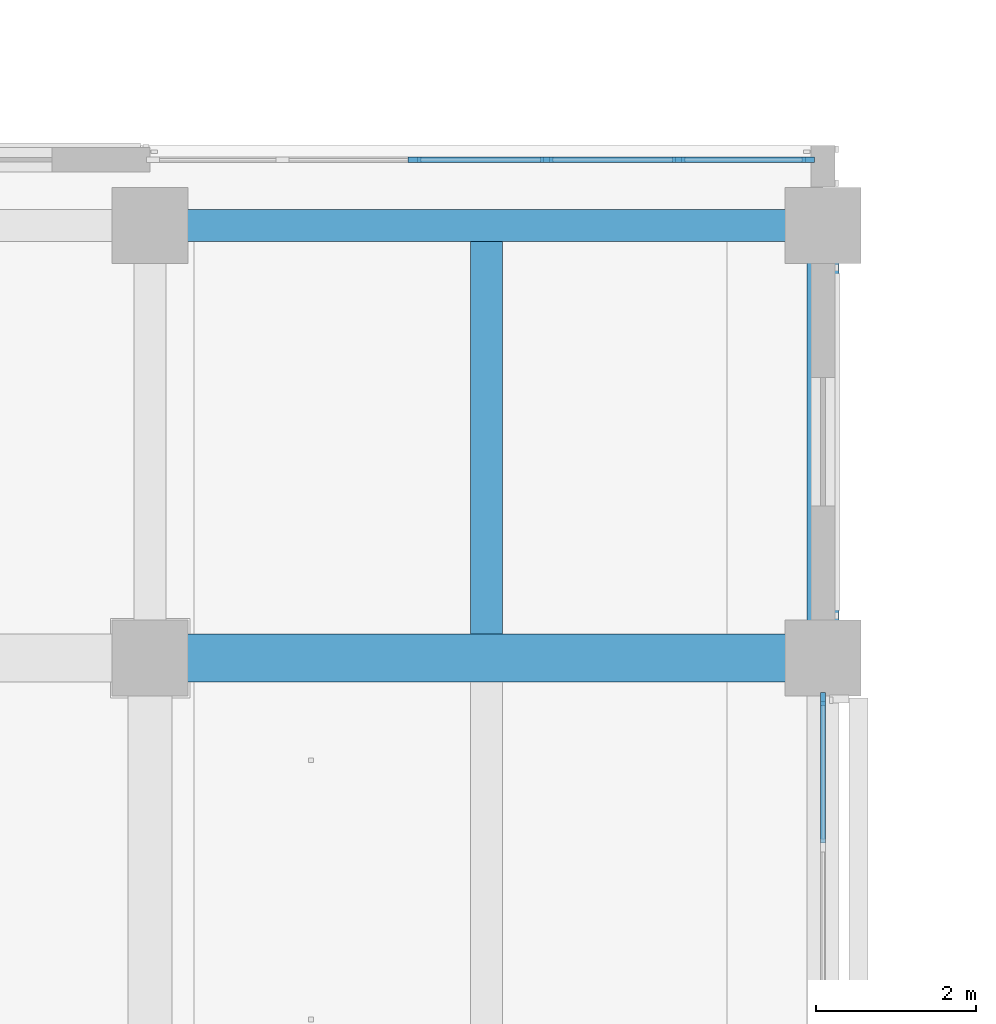
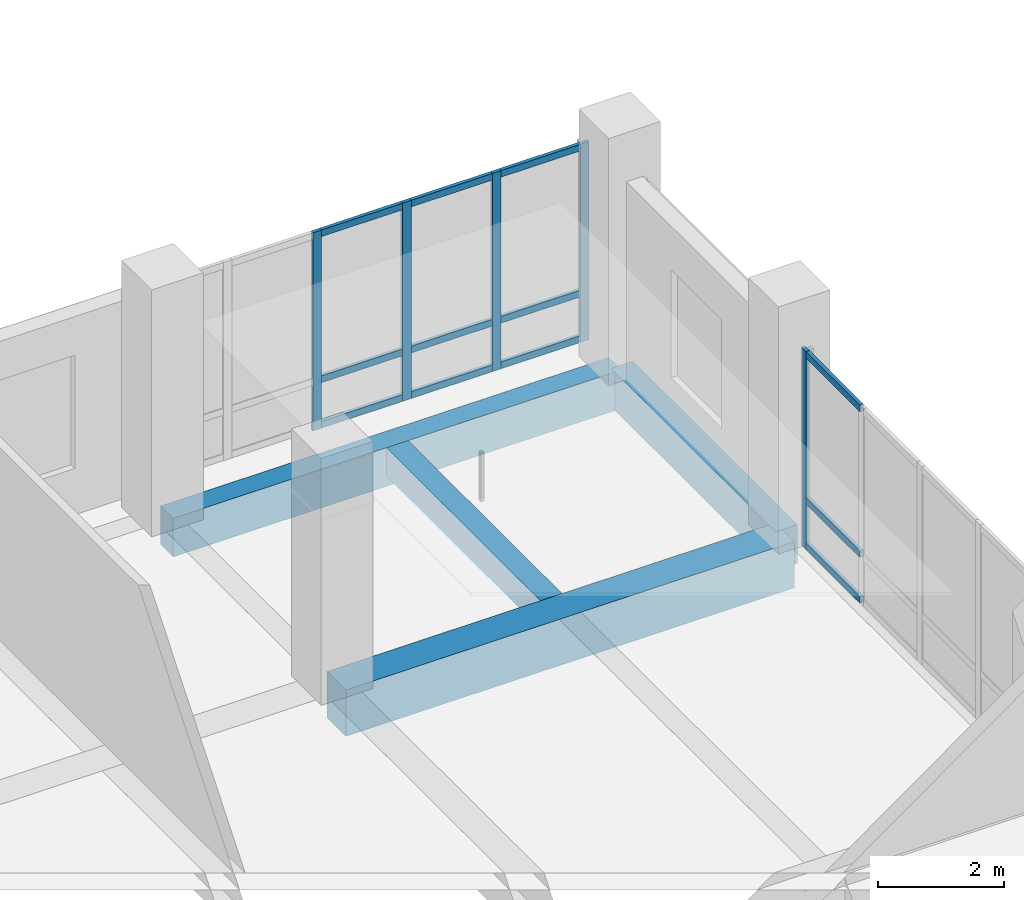
# One storey, part 22 of 122: 17 members, 4 beams, 2 elements without a shape of their own.
"""IFC4 building model written with IfcOpenShell, lengths in metres."""

from ifc_helpers import new_model, si_unit, direction, frame, origin, origin_2d, place, context, subcontext, project, spatial, rectangle, extrude, material, layer, layer_set, material_profile, profile_set, type_object, element, aggregate, save


model = new_model("IFC4")

# Units and contexts
model_context = context("Model", 3, precision=1e-05, world=origin(), true_north=direction((0.0, 1.0)))
body_context = subcontext(model_context, "Body", "Model", "MODEL_VIEW")
ifc_project = project(units=[si_unit("LENGTHUNIT", "METRE"), si_unit("AREAUNIT", "SQUARE_METRE"), si_unit("VOLUMEUNIT", "CUBIC_METRE"), si_unit("PLANEANGLEUNIT", "RADIAN"), si_unit("MASSUNIT", "GRAM", prefix="KILO")], contexts=[model_context])

# Site, building, storey
site_placement = place(None, origin())
site = spatial("IfcSite", under=ifc_project, at=site_placement, CompositionType="ELEMENT")
building_placement = place(site_placement, origin())
building = spatial("IfcBuilding", under=site, at=building_placement, Name="Telukmera Botanical Conservatory", CompositionType="ELEMENT")
storey_placement = place(building_placement, frame((0.0, 0.0, 10.199951171875)))
storey = spatial("IfcBuildingStorey", under=building, at=storey_placement, Name="L02", CompositionType="ELEMENT", Elevation=10.199951171875)

# Beams
ifc_material_1 = material(Name="Concrete C40/50", Category="concrete")
ifc_material_profile_1 = material_profile(ifc_material_1, rectangle(XDim=0.39990234375, YDim=0.550048828125, at=origin_2d()), Name="RC 400x550")
ifc_profile_set_1 = profile_set([ifc_material_profile_1], Name="Concrete C40/50")
beam_type_1 = type_object("IfcBeamType", Name="Beam_B19", PredefinedType="JOIST", material=ifc_profile_set_1)
beam_1_placement = place(storey_placement, frame((105.0, 43.10009765625, -0.27490234375), z_axis=(0.0, 1.0, 0.0), x_axis=(-1.0, 0.0, 0.0)))
element("IfcBeam", 1, at=beam_1_placement, inside=storey, type_object=beam_type_1, Name="Tower Secondary Floor Joist L02", PredefinedType="JOIST", context=body_context, shape_type="SweptSolid", body=[
    extrude(rectangle(XDim=0.39990234375, YDim=0.550048828125, at=origin_2d()), origin(), (0.0, 0.0, 1.0), 4.89990234375),
])
ifc_material_profile_2 = material_profile(ifc_material_1, rectangle(XDim=0.60009765625, YDim=0.89990234375, at=origin_2d()), Name="RC 600x900")
ifc_profile_set_2 = profile_set([ifc_material_profile_2], Name="Concrete C40/50")
beam_type_2 = type_object("IfcBeamType", Name="Beam_B3", PredefinedType="BEAM", material=ifc_profile_set_2)
beam_2_placement = place(storey_placement, frame((100.8798828125, 42.800048828125, -0.449951171875), z_axis=(1.0, 0.0, 0.0), x_axis=(0.0, 1.0, 0.0)))
element("IfcBeam", 2, at=beam_2_placement, inside=storey, type_object=beam_type_2, Name="Tower Grid Beam L02", PredefinedType="BEAM", context=body_context, shape_type="SweptSolid", body=[
    extrude(rectangle(XDim=0.60009765625, YDim=0.89990234375, at=origin_2d()), origin(), (0.0, 0.0, 1.0), 8.240234375),
])
ifc_material_2 = material(Name="Precast concrete C40/50", Category="concrete")
ifc_material_profile_3 = material_profile(ifc_material_2, rectangle(XDim=0.39990234375, YDim=0.75, at=origin_2d()), Name="PC 400x750")
ifc_profile_set_3 = profile_set([ifc_material_profile_3], Name="Precast concrete C40/50")
beam_type_3 = type_object("IfcBeamType", Name="Beam_SP1", PredefinedType="SPANDREL", material=ifc_profile_set_3)
beam_3_placement = place(storey_placement, frame((100.8798828125, 48.199951171875, -0.375), z_axis=(1.0, 0.0, 0.0), x_axis=(0.0, 1.0, 0.0)))
element("IfcBeam", 3, at=beam_3_placement, inside=storey, type_object=beam_type_3, Name="Tower Grid Beam L02", PredefinedType="SPANDREL", context=body_context, shape_type="SweptSolid", body=[
    extrude(rectangle(XDim=0.39990234375, YDim=0.75, at=origin_2d()), origin(), (0.0, 0.0, 1.0), 8.240234375),
])
beam_4_placement = place(storey_placement, frame((109.199951171875, 42.8798828125, -0.375), z_axis=(0.0, 1.0, 0.0), x_axis=(-1.0, 0.0, 0.0)))
element("IfcBeam", 4, at=beam_4_placement, inside=storey, type_object=beam_type_3, Name="Tower Transverse Beam L02", PredefinedType="SPANDREL", context=body_context, shape_type="SweptSolid", body=[
    extrude(rectangle(XDim=0.39990234375, YDim=0.75, at=origin_2d()), origin(), (0.0, 0.0, 1.0), 5.240234375),
])

# Curtain wall, members
ifc_material_3 = material(Name="Anodised aluminium 6063-T6", Category="aluminium")
ifc_layer = layer(ifc_material_3, 0.179931640625)
ifc_layer_set = layer_set([ifc_layer], Name="Anodised aluminium 6063-T6")
curtain_wall_type = type_object("IfcCurtainWallType", Name="Tower Reference Library Curtain Wall", PredefinedType="USERDEFINED", material=ifc_layer_set)
curtain_wall_1_placement = place(storey_placement, origin())
curtain_wall_1 = element("IfcCurtainWall", 5, at=curtain_wall_1_placement, inside=storey, type_object=curtain_wall_type, Name="Unitised Curtain Wall CW13 V4:L02:N7", ObjectType="UNITISED CURTAIN WALL", PredefinedType="USERDEFINED")
ifc_material_profile_4 = material_profile(ifc_material_3, rectangle(XDim=0.06494140625, YDim=0.159912109375, at=origin_2d()), Name="ALU MULL 65x160")
ifc_profile_set_4 = profile_set([ifc_material_profile_4], Name="Anodised aluminium 6063-T6")
member_type_1 = type_object("IfcMemberType", Name="Curtain Wall Extruded Mullion 65x160", PredefinedType="MULLION", material=ifc_profile_set_4)
member_1_placement = place(storey_placement, frame((104.100341796875, 49.02001953125, 0.0), z_axis=(0.0, 0.0, 1.0), x_axis=(0.0, 1.0, 0.0)))
member_1 = element("IfcMember", 6, at=member_1_placement, type_object=member_type_1, Name="CW13 mullion 3", PredefinedType="MULLION", context=body_context, shape_type="SweptSolid", body=[
    extrude(rectangle(XDim=0.06494140625, YDim=0.159912109375, at=origin_2d()), origin(), (0.0, 0.0, 1.0), 3.85009765625),
])
member_2_placement = place(storey_placement, frame((105.74951171875, 49.02001953125, 0.0), z_axis=(0.0, 0.0, 1.0), x_axis=(0.0, 1.0, 0.0)))
member_2 = element("IfcMember", 7, at=member_2_placement, type_object=member_type_1, Name="CW13 mullion 4", PredefinedType="MULLION", context=body_context, shape_type="SweptSolid", body=[
    extrude(rectangle(XDim=0.06494140625, YDim=0.159912109375, at=origin_2d()), origin(), (0.0, 0.0, 1.0), 3.85009765625),
])
member_3_placement = place(storey_placement, frame((107.398681640625, 49.02001953125, 0.0), z_axis=(0.0, 0.0, 1.0), x_axis=(0.0, 1.0, 0.0)))
member_3 = element("IfcMember", 8, at=member_3_placement, type_object=member_type_1, Name="CW13 mullion 5", PredefinedType="MULLION", context=body_context, shape_type="SweptSolid", body=[
    extrude(rectangle(XDim=0.06494140625, YDim=0.159912109375, at=origin_2d()), origin(), (0.0, 0.0, 1.0), 3.85009765625),
])
member_4_placement = place(storey_placement, frame((109.015380859375, 49.02001953125, 0.0), z_axis=(0.0, 0.0, 1.0), x_axis=(0.0, 1.0, 0.0)))
member_4 = element("IfcMember", 9, at=member_4_placement, type_object=member_type_1, Name="CW13 mullion 6", PredefinedType="MULLION", context=body_context, shape_type="SweptSolid", body=[
    extrude(rectangle(XDim=0.06494140625, YDim=0.159912109375, at=origin_2d()), origin(), (0.0, 0.0, 1.0), 3.85009765625),
])

# Curtain wall, member
curtain_wall_2_placement = place(storey_placement, origin())
curtain_wall_2 = element("IfcCurtainWall", 10, at=curtain_wall_2_placement, inside=storey, type_object=curtain_wall_type, Name="Unitised Curtain Wall CW13 V4:L02:E4", ObjectType="UNITISED CURTAIN WALL", PredefinedType="USERDEFINED")
member_5_placement = place(storey_placement, frame((109.199951171875, 42.29052734375, 0.0), z_axis=(0.0, 0.0, 1.0), x_axis=(-1.0, 0.0, 0.0)))
member_5 = element("IfcMember", 11, at=member_5_placement, type_object=member_type_1, Name="CW13 mullion 5", PredefinedType="MULLION", context=body_context, shape_type="SweptSolid", body=[
    extrude(rectangle(XDim=0.06494140625, YDim=0.159912109375, at=origin_2d()), origin(), (0.0, 0.0, 1.0), 3.85009765625),
])

# Member
ifc_material_profile_5 = material_profile(ifc_material_3, rectangle(XDim=0.06494140625, YDim=0.1298828125, at=origin_2d()), Name="ALU TRAN 65x130")
ifc_profile_set_5 = profile_set([ifc_material_profile_5], Name="Anodised aluminium 6063-T6")
member_type_2 = type_object("IfcMemberType", Name="Curtain Wall Extruded Transom 65x130", PredefinedType="USERDEFINED", material=ifc_profile_set_5)
member_6_placement = place(storey_placement, frame((104.1328125, 49.02001953125, 0.06494140625), z_axis=(1.0, 0.0, 0.0), x_axis=(0.0, 1.0, 0.0)))
member_6 = element("IfcMember", 12, at=member_6_placement, type_object=member_type_2, Name="CW13 transom 3.1", ObjectType="TRANSOM", PredefinedType="USERDEFINED", context=body_context, shape_type="SweptSolid", body=[
    extrude(rectangle(XDim=0.06494140625, YDim=0.1298828125, at=origin_2d()), origin(), (0.0, 0.0, 1.0), 1.584228515625),
])

member_7_placement = place(storey_placement, frame((104.1328125, 49.02001953125, 0.949951171875), z_axis=(1.0, 0.0, 0.0), x_axis=(0.0, 1.0, 0.0)))
member_7 = element("IfcMember", 13, at=member_7_placement, type_object=member_type_2, Name="CW13 transom 3.2", ObjectType="TRANSOM", PredefinedType="USERDEFINED", context=body_context, shape_type="SweptSolid", body=[
    extrude(rectangle(XDim=0.06494140625, YDim=0.1298828125, at=origin_2d()), origin(), (0.0, 0.0, 1.0), 1.584228515625),
])

member_8_placement = place(storey_placement, frame((104.1328125, 49.02001953125, 3.78515625), z_axis=(1.0, 0.0, 0.0), x_axis=(0.0, 1.0, 0.0)))
member_8 = element("IfcMember", 14, at=member_8_placement, type_object=member_type_2, Name="CW13 transom 3.3", ObjectType="TRANSOM", PredefinedType="USERDEFINED", context=body_context, shape_type="SweptSolid", body=[
    extrude(rectangle(XDim=0.06494140625, YDim=0.1298828125, at=origin_2d()), origin(), (0.0, 0.0, 1.0), 1.584228515625),
])

member_9_placement = place(storey_placement, frame((105.781982421875, 49.02001953125, 0.06494140625), z_axis=(1.0, 0.0, 0.0), x_axis=(0.0, 1.0, 0.0)))
member_9 = element("IfcMember", 15, at=member_9_placement, type_object=member_type_2, Name="CW13 transom 4.1", ObjectType="TRANSOM", PredefinedType="USERDEFINED", context=body_context, shape_type="SweptSolid", body=[
    extrude(rectangle(XDim=0.06494140625, YDim=0.1298828125, at=origin_2d()), origin(), (0.0, 0.0, 1.0), 1.584228515625),
])

member_10_placement = place(storey_placement, frame((105.781982421875, 49.02001953125, 0.949951171875), z_axis=(1.0, 0.0, 0.0), x_axis=(0.0, 1.0, 0.0)))
member_10 = element("IfcMember", 16, at=member_10_placement, type_object=member_type_2, Name="CW13 transom 4.2", ObjectType="TRANSOM", PredefinedType="USERDEFINED", context=body_context, shape_type="SweptSolid", body=[
    extrude(rectangle(XDim=0.06494140625, YDim=0.1298828125, at=origin_2d()), origin(), (0.0, 0.0, 1.0), 1.584228515625),
])

member_11_placement = place(storey_placement, frame((105.781982421875, 49.02001953125, 3.78515625), z_axis=(1.0, 0.0, 0.0), x_axis=(0.0, 1.0, 0.0)))
member_11 = element("IfcMember", 17, at=member_11_placement, type_object=member_type_2, Name="CW13 transom 4.3", ObjectType="TRANSOM", PredefinedType="USERDEFINED", context=body_context, shape_type="SweptSolid", body=[
    extrude(rectangle(XDim=0.06494140625, YDim=0.1298828125, at=origin_2d()), origin(), (0.0, 0.0, 1.0), 1.584228515625),
])

member_12_placement = place(storey_placement, frame((107.431396484375, 49.02001953125, 0.06494140625), z_axis=(1.0, 0.0, 0.0), x_axis=(0.0, 1.0, 0.0)))
member_12 = element("IfcMember", 18, at=member_12_placement, type_object=member_type_2, Name="CW13 transom 5.1", ObjectType="TRANSOM", PredefinedType="USERDEFINED", context=body_context, shape_type="SweptSolid", body=[
    extrude(rectangle(XDim=0.06494140625, YDim=0.1298828125, at=origin_2d()), origin(), (0.0, 0.0, 1.0), 1.551513671875),
])

member_13_placement = place(storey_placement, frame((107.431396484375, 49.02001953125, 0.949951171875), z_axis=(1.0, 0.0, 0.0), x_axis=(0.0, 1.0, 0.0)))
member_13 = element("IfcMember", 19, at=member_13_placement, type_object=member_type_2, Name="CW13 transom 5.2", ObjectType="TRANSOM", PredefinedType="USERDEFINED", context=body_context, shape_type="SweptSolid", body=[
    extrude(rectangle(XDim=0.06494140625, YDim=0.1298828125, at=origin_2d()), origin(), (0.0, 0.0, 1.0), 1.551513671875),
])

member_14_placement = place(storey_placement, frame((107.431396484375, 49.02001953125, 3.78515625), z_axis=(1.0, 0.0, 0.0), x_axis=(0.0, 1.0, 0.0)))
member_14 = element("IfcMember", 20, at=member_14_placement, type_object=member_type_2, Name="CW13 transom 5.3", ObjectType="TRANSOM", PredefinedType="USERDEFINED", context=body_context, shape_type="SweptSolid", body=[
    extrude(rectangle(XDim=0.06494140625, YDim=0.1298828125, at=origin_2d()), origin(), (0.0, 0.0, 1.0), 1.551513671875),
])

aggregate(curtain_wall_1, [member_1, member_2, member_3, member_4, member_6, member_7, member_8, member_9, member_10, member_11, member_12, member_13, member_14])

member_15_placement = place(storey_placement, frame((109.199951171875, 40.493896484375, 0.06494140625), z_axis=(0.0, 1.0, 0.0), x_axis=(-1.0, 0.0, 0.0)))
member_15 = element("IfcMember", 21, at=member_15_placement, type_object=member_type_2, Name="CW13 transom 4.1", ObjectType="TRANSOM", PredefinedType="USERDEFINED", context=body_context, shape_type="SweptSolid", body=[
    extrude(rectangle(XDim=0.06494140625, YDim=0.1298828125, at=origin_2d()), origin(), (0.0, 0.0, 1.0), 1.76416015625),
])

member_16_placement = place(storey_placement, frame((109.199951171875, 40.493896484375, 0.949951171875), z_axis=(0.0, 1.0, 0.0), x_axis=(-1.0, 0.0, 0.0)))
member_16 = element("IfcMember", 22, at=member_16_placement, type_object=member_type_2, Name="CW13 transom 4.2", ObjectType="TRANSOM", PredefinedType="USERDEFINED", context=body_context, shape_type="SweptSolid", body=[
    extrude(rectangle(XDim=0.06494140625, YDim=0.1298828125, at=origin_2d()), origin(), (0.0, 0.0, 1.0), 1.76416015625),
])

member_17_placement = place(storey_placement, frame((109.199951171875, 40.493896484375, 3.78515625), z_axis=(0.0, 1.0, 0.0), x_axis=(-1.0, 0.0, 0.0)))
member_17 = element("IfcMember", 23, at=member_17_placement, type_object=member_type_2, Name="CW13 transom 4.3", ObjectType="TRANSOM", PredefinedType="USERDEFINED", context=body_context, shape_type="SweptSolid", body=[
    extrude(rectangle(XDim=0.06494140625, YDim=0.1298828125, at=origin_2d()), origin(), (0.0, 0.0, 1.0), 1.76416015625),
])

aggregate(curtain_wall_2, [member_5, member_15, member_16, member_17])

save(model, "model.ifc")
